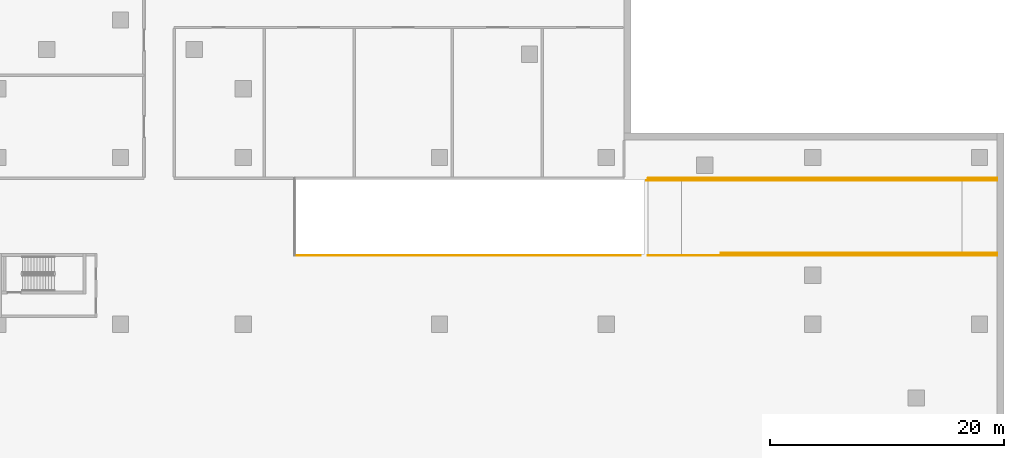
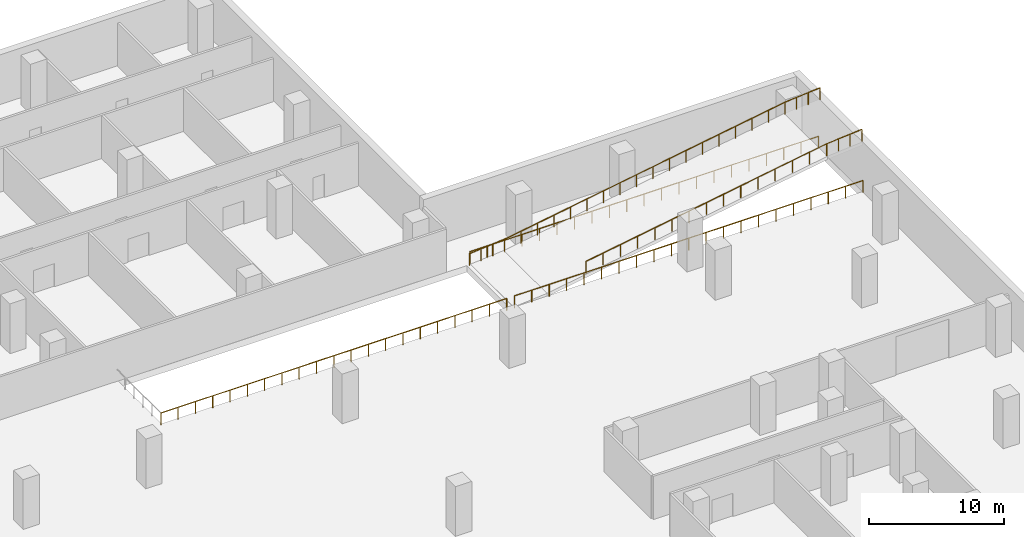
# One storey, part 12 of 12: 5 railings.
"""IFC4 building model written with IfcOpenShell, lengths in metres."""

import ifcopenshell
import ifcopenshell.guid

model = None  # the IFC model being written
_history = None  # IfcOwnerHistory: only IFC2X3 demands one
_inside = {}  # id of a spatial element -> (the spatial element, [elements in it])
_under = {}  # id of a project, library or spatial element -> (it, [spatial elements below it])
_declared = {}  # id of a project -> (the project, [libraries it declares])
_typed = {}  # id of a type object -> (the type object, [elements of that type])
_made_of = {}  # id of a material, layer set ... -> (it, [elements and type objects made of it])


def new_model(schema):
    """Start an empty IFC model of exactly this schema.

    Asked for "IFC4X3", IfcOpenShell would pick the latest addendum, in which some entities
    have other attributes; the version numbers below select the first issue.
    IFC2X3 requires an IfcOwnerHistory on every rooted entity: one is made here for all.
    """
    global model, _history
    if schema == "IFC4X3":
        model = ifcopenshell.file(schema_version=(4, 3, 0, 0))
    else:
        model = ifcopenshell.file(schema=schema)
    _inside.clear()
    _under.clear()
    _declared.clear()
    _typed.clear()
    _made_of.clear()
    _history = None
    if model.schema == "IFC2X3":
        org = make("IfcOrganization", Name="unknown")
        user = make(
            "IfcPersonAndOrganization",
            ThePerson=make("IfcPerson", FamilyName="unknown"),
            TheOrganization=org,
        )
        app = make(
            "IfcApplication",
            ApplicationDeveloper=org,
            Version="unknown",
            ApplicationFullName="unknown",
            ApplicationIdentifier="unknown",
        )
        _history = make(
            "IfcOwnerHistory",
            OwningUser=user,
            OwningApplication=app,
            ChangeAction="ADDED",
            CreationDate=0,
        )
    return model


def make(cls, **values):
    """One entity of the class cls with the attributes given. An attribute that is None is left unset."""
    return model.create_entity(
        cls, **{name: value for name, value in values.items() if value is not None}
    )


def rooted(cls, **values):
    """An entity with a GlobalId (a new one), such as an element, a storey or a relation."""
    return make(cls, GlobalId=ifcopenshell.guid.new(), OwnerHistory=_history, **values)


def si_unit(unit_type, name, prefix=None):
    """IfcSIUnit, for example si_unit("LENGTHUNIT", "METRE", prefix="MILLI")."""
    return make("IfcSIUnit", UnitType=unit_type, Prefix=prefix, Name=name)


def assignment(units):
    """IfcUnitAssignment: the units of a project."""
    return None if units is None else make("IfcUnitAssignment", Units=units)


def point(xyz):
    """IfcCartesianPoint."""
    return None if xyz is None else make("IfcCartesianPoint", Coordinates=xyz)


def direction(xyz):
    """IfcDirection."""
    return None if xyz is None else make("IfcDirection", DirectionRatios=xyz)


def frame(location, z_axis=None, x_axis=None):
    """IfcAxis2Placement3D, a coordinate frame: its origin and axes. An axis left out is left unset."""
    return make(
        "IfcAxis2Placement3D",
        Location=point(location),
        Axis=direction(z_axis),
        RefDirection=direction(x_axis),
    )


def frame_2d(location, x_axis=None):
    """IfcAxis2Placement2D, a coordinate frame in the plane: its origin and x axis."""
    return make(
        "IfcAxis2Placement2D", Location=point(location), RefDirection=direction(x_axis)
    )


def origin():
    """The frame at (0, 0, 0) with its axes left unset."""
    return frame((0.0, 0.0, 0.0))


def origin_2d():
    """The frame at (0, 0) in the plane with its x axis left unset."""
    return frame_2d((0.0, 0.0))


def place(relative_to, where):
    """IfcLocalPlacement: puts the frame where relative to a parent placement (None: the world)."""
    return make(
        "IfcLocalPlacement", PlacementRelTo=relative_to, RelativePlacement=where
    )


def context(
    kind, dimensions, precision=None, world=None, true_north=None, identifier=None
):
    """IfcGeometricRepresentationContext, for example the 3D "Model" context."""
    return make(
        "IfcGeometricRepresentationContext",
        ContextIdentifier=identifier,
        ContextType=kind,
        CoordinateSpaceDimension=dimensions,
        Precision=precision,
        WorldCoordinateSystem=world,
        TrueNorth=true_north,
    )


def subcontext(parent, identifier, kind, view, scale=None):
    """IfcGeometricRepresentationSubContext, for example "Body" below "Model"."""
    return make(
        "IfcGeometricRepresentationSubContext",
        ContextIdentifier=identifier,
        ContextType=kind,
        ParentContext=parent,
        TargetScale=scale,
        TargetView=view,
    )


def project(units=None, contexts=None):
    """IfcProject with its units and contexts."""
    return rooted(
        "IfcProject",
        Name="project",
        RepresentationContexts=contexts,
        UnitsInContext=assignment(units),
    )


def spatial(cls, under=None, at=None, **own):
    """A site, building, storey or space (cls), placed at a placement, below another one or the project."""
    s = rooted(cls, ObjectPlacement=at, **own)
    if under is not None:
        _under.setdefault(under.id(), (under, []))[1].append(s)
    return s


def profile(cls, at=None, kind="AREA", **sizes):
    """A parametric profile (cls). Its sizes go by their IFC names, for example OverallWidth=200.0."""
    return make(cls, ProfileType=kind, Position=at, **sizes)


def circle(**sizes):
    """IfcCircleProfileDef."""
    return profile("IfcCircleProfileDef", **sizes)


def extrude(swept, where, along, depth):
    """IfcExtrudedAreaSolid: the profile swept, set in the frame where, extruded along a direction by depth."""
    return make(
        "IfcExtrudedAreaSolid",
        SweptArea=swept,
        Position=where,
        ExtrudedDirection=direction(along),
        Depth=depth,
    )


def shape(context_of_items, identifier, shape_type, items):
    """IfcShapeRepresentation: the items that make up one representation, for example the "Body"."""
    return make(
        "IfcShapeRepresentation",
        ContextOfItems=context_of_items,
        RepresentationIdentifier=identifier,
        RepresentationType=shape_type,
        Items=items,
    )


def source(mapping_origin, context_of_items, identifier, shape_type, items):
    """IfcRepresentationMap: a shape defined once, which mapped items show again and again."""
    return make(
        "IfcRepresentationMap",
        MappingOrigin=mapping_origin,
        MappedRepresentation=shape(context_of_items, identifier, shape_type, items),
    )


def transform(
    local_origin,
    x_axis=None,
    y_axis=None,
    z_axis=None,
    scale=None,
    scale2=None,
    scale3=None,
    uniform=True,
):
    """IfcCartesianTransformationOperator3D, or its non-uniform kind. x_axis, y_axis, z_axis: its Axis1, 2, 3."""
    if uniform:
        return make(
            "IfcCartesianTransformationOperator3D",
            Axis1=direction(x_axis),
            Axis2=direction(y_axis),
            LocalOrigin=point(local_origin),
            Scale=scale,
            Axis3=direction(z_axis),
        )
    return make(
        "IfcCartesianTransformationOperator3DnonUniform",
        Axis1=direction(x_axis),
        Axis2=direction(y_axis),
        LocalOrigin=point(local_origin),
        Scale=scale,
        Axis3=direction(z_axis),
        Scale2=scale2,
        Scale3=scale3,
    )


def mapped(mapping_source, mapping_target):
    """IfcMappedItem: shows the shape of a source again, moved by a transform."""
    return make(
        "IfcMappedItem", MappingSource=mapping_source, MappingTarget=mapping_target
    )


def material(Name=None, Category=None):
    """IfcMaterial."""
    return make("IfcMaterial", Name=Name, Category=Category)


def made_of(thing, what):
    """Note that an element or type object is made of a material, layer set ...; save() writes the relation."""
    if what is not None:
        _made_of.setdefault(what.id(), (what, []))[1].append(thing)
    return thing


def type_object(cls, material=None, **own):
    """A type object (cls), such as IfcWallType, which elements share."""
    return made_of(rooted(cls, **own), material)


def element(
    cls,
    number,
    at=None,
    inside=None,
    cuts=None,
    type_object=None,
    material=None,
    context=None,
    identifier="Body",
    shape_type=None,
    held_by="IfcProductDefinitionShape",
    body=None,
    shapes=None,
    **own,
):
    """One element of the class cls, such as IfcWall. Its Tag is "e" and its number.

    at: its placement. inside: the storey or other place that contains it. cuts: it is an
    opening in that element (IfcRelVoidsElement). A single representation is given by context,
    identifier, shape_type and body (its items); several are given by shapes. held_by: the class
    of the entity that holds the representations. save() writes the other relations.
    """
    e = rooted(cls, Tag="e%d" % number, ObjectPlacement=at, **own)
    if body is not None:
        shapes = [shape(context, identifier, shape_type, body)]
    if shapes is not None:
        e.Representation = make(held_by, Representations=shapes)
    if inside is not None:
        _inside.setdefault(inside.id(), (inside, []))[1].append(e)
    if cuts is not None:
        rooted(
            "IfcRelVoidsElement", RelatingBuildingElement=cuts, RelatedOpeningElement=e
        )
    if type_object is not None:
        _typed.setdefault(type_object.id(), (type_object, []))[1].append(e)
    return made_of(e, material)


def aggregate(whole, parts):
    """IfcRelAggregates: a whole, such as a stair, and the parts it consists of."""
    return rooted("IfcRelAggregates", RelatingObject=whole, RelatedObjects=parts)


def save(model, path):
    """Write the relations noted so far, then the file.

    IfcRelAggregates (storeys below a building ...), IfcRelContainedInSpatialStructure (elements
    in a storey), IfcRelDefinesByType, IfcRelAssociatesMaterial and IfcRelDeclares: one each for
    every whole, place, type object, material and project.
    """
    for whole, parts in _under.values():
        aggregate(whole, parts)
    for where, things in _inside.values():
        rooted(
            "IfcRelContainedInSpatialStructure",
            RelatedElements=things,
            RelatingStructure=where,
        )
    for kind, things in _typed.values():
        rooted("IfcRelDefinesByType", RelatedObjects=things, RelatingType=kind)
    for what, things in _made_of.values():
        rooted("IfcRelAssociatesMaterial", RelatedObjects=things, RelatingMaterial=what)
    for by, libraries in _declared.values():
        rooted("IfcRelDeclares", RelatingContext=by, RelatedDefinitions=libraries)
    model.write(path)


model = new_model("IFC4")

# Units and contexts
model_context = context("Model", 3, precision=1e-05, world=origin(), true_north=direction((0.0, 1.0)))
body_context = subcontext(model_context, "Body", "Model", "MODEL_VIEW")
ifc_project = project(units=[si_unit("LENGTHUNIT", "METRE"), si_unit("AREAUNIT", "SQUARE_METRE"), si_unit("VOLUMEUNIT", "CUBIC_METRE"), si_unit("PLANEANGLEUNIT", "RADIAN"), si_unit("MASSUNIT", "GRAM", prefix="KILO")], contexts=[model_context])

# Site, building, storey
site_placement = place(None, origin())
site = spatial("IfcSite", under=ifc_project, at=site_placement, CompositionType="ELEMENT")
building_placement = place(site_placement, origin())
building = spatial("IfcBuilding", under=site, at=building_placement, Name="Aurelian Terraces", CompositionType="ELEMENT")
storey_placement = place(building_placement, frame((0.0, 0.0, -4.5)))
storey = spatial("IfcBuildingStorey", under=building, at=storey_placement, Name="B1", CompositionType="ELEMENT", Elevation=-4.5)

# Railings
ifc_material = material(Name="Stainless steel", Category="steel")
railing_type_1 = type_object("IfcRailingType", Name="Deck edge guard 1100", PredefinedType="GUARDRAIL", material=ifc_material)
railing_1_placement = place(storey_placement, frame((25.4, 43.7, 0.0)))
element("IfcRailing", 1, at=railing_1_placement, inside=storey, type_object=railing_type_1, Name="Deck edge guard ramp opening south", PredefinedType="GUARDRAIL", context=body_context, shape_type="SweptSolid", body=[
    extrude(circle(Radius=0.024, at=origin_2d()), frame((0.0, 0.0, 1.076), z_axis=(1.0, 0.0, 0.0), x_axis=(0.0, 1.0, 0.0)), (0.0, 0.0, 1.0), 29.6),
    extrude(circle(Radius=0.021, at=origin_2d()), origin(), (0.0, 0.0, 1.0), 1.052),
    extrude(circle(Radius=0.021, at=origin_2d()), frame((1.48, 0.0, 0.0)), (0.0, 0.0, 1.0), 1.052),
    extrude(circle(Radius=0.021, at=origin_2d()), frame((2.96, 0.0, 0.0)), (0.0, 0.0, 1.0), 1.052),
    extrude(circle(Radius=0.021, at=origin_2d()), frame((4.44, 0.0, 0.0)), (0.0, 0.0, 1.0), 1.052),
    extrude(circle(Radius=0.021, at=origin_2d()), frame((5.92, 0.0, 0.0)), (0.0, 0.0, 1.0), 1.052),
    extrude(circle(Radius=0.021, at=origin_2d()), frame((7.4, 0.0, 0.0)), (0.0, 0.0, 1.0), 1.052),
    extrude(circle(Radius=0.021, at=origin_2d()), frame((8.88, 0.0, 0.0)), (0.0, 0.0, 1.0), 1.052),
    extrude(circle(Radius=0.021, at=origin_2d()), frame((10.36, 0.0, 0.0)), (0.0, 0.0, 1.0), 1.052),
    extrude(circle(Radius=0.021, at=origin_2d()), frame((11.84, 0.0, 0.0)), (0.0, 0.0, 1.0), 1.052),
    extrude(circle(Radius=0.021, at=origin_2d()), frame((13.32, 0.0, 0.0)), (0.0, 0.0, 1.0), 1.052),
    extrude(circle(Radius=0.021, at=origin_2d()), frame((14.8, 0.0, 0.0)), (0.0, 0.0, 1.0), 1.052),
    extrude(circle(Radius=0.021, at=origin_2d()), frame((16.28, 0.0, 0.0)), (0.0, 0.0, 1.0), 1.052),
    extrude(circle(Radius=0.021, at=origin_2d()), frame((17.76, 0.0, 0.0)), (0.0, 0.0, 1.0), 1.052),
    extrude(circle(Radius=0.021, at=origin_2d()), frame((19.24, 0.0, 0.0)), (0.0, 0.0, 1.0), 1.052),
    extrude(circle(Radius=0.021, at=origin_2d()), frame((20.72, 0.0, 0.0)), (0.0, 0.0, 1.0), 1.052),
    extrude(circle(Radius=0.021, at=origin_2d()), frame((22.2, 0.0, 0.0)), (0.0, 0.0, 1.0), 1.052),
    extrude(circle(Radius=0.021, at=origin_2d()), frame((23.68, 0.0, 0.0)), (0.0, 0.0, 1.0), 1.052),
    extrude(circle(Radius=0.021, at=origin_2d()), frame((25.16, 0.0, 0.0)), (0.0, 0.0, 1.0), 1.052),
    extrude(circle(Radius=0.021, at=origin_2d()), frame((26.64, 0.0, 0.0)), (0.0, 0.0, 1.0), 1.052),
    extrude(circle(Radius=0.021, at=origin_2d()), frame((28.12, 0.0, 0.0)), (0.0, 0.0, 1.0), 1.052),
    extrude(circle(Radius=0.021, at=origin_2d()), frame((29.6, 0.0, 0.0)), (0.0, 0.0, 1.0), 1.052),
])
railing_2_placement = place(storey_placement, frame((55.65, 43.7, 0.0)))
element("IfcRailing", 2, at=railing_2_placement, inside=storey, type_object=railing_type_1, Name="Deck edge guard upper ramp opening south", PredefinedType="GUARDRAIL", context=body_context, shape_type="SweptSolid", body=[
    extrude(circle(Radius=0.024, at=origin_2d()), frame((0.0, 0.0, 1.076), z_axis=(1.0, 0.0, 0.0), x_axis=(0.0, 1.0, 0.0)), (0.0, 0.0, 1.0), 29.85),
    extrude(circle(Radius=0.021, at=origin_2d()), origin(), (0.0, 0.0, 1.0), 1.052),
    extrude(circle(Radius=0.021, at=origin_2d()), frame((1.4925, 0.0, 0.0)), (0.0, 0.0, 1.0), 1.052),
    extrude(circle(Radius=0.021, at=origin_2d()), frame((2.985, 0.0, 0.0)), (0.0, 0.0, 1.0), 1.052),
    extrude(circle(Radius=0.021, at=origin_2d()), frame((4.4775, 0.0, 0.0)), (0.0, 0.0, 1.0), 1.052),
    extrude(circle(Radius=0.021, at=origin_2d()), frame((5.97, 0.0, 0.0)), (0.0, 0.0, 1.0), 1.052),
    extrude(circle(Radius=0.021, at=origin_2d()), frame((7.4625, 0.0, 0.0)), (0.0, 0.0, 1.0), 1.052),
    extrude(circle(Radius=0.021, at=origin_2d()), frame((8.955, 0.0, 0.0)), (0.0, 0.0, 1.0), 1.052),
    extrude(circle(Radius=0.021, at=origin_2d()), frame((10.4475, 0.0, 0.0)), (0.0, 0.0, 1.0), 1.052),
    extrude(circle(Radius=0.021, at=origin_2d()), frame((11.94, 0.0, 0.0)), (0.0, 0.0, 1.0), 1.052),
    extrude(circle(Radius=0.021, at=origin_2d()), frame((13.4325, 0.0, 0.0)), (0.0, 0.0, 1.0), 1.052),
    extrude(circle(Radius=0.021, at=origin_2d()), frame((14.925, 0.0, 0.0)), (0.0, 0.0, 1.0), 1.052),
    extrude(circle(Radius=0.021, at=origin_2d()), frame((16.4175, 0.0, 0.0)), (0.0, 0.0, 1.0), 1.052),
    extrude(circle(Radius=0.021, at=origin_2d()), frame((17.91, 0.0, 0.0)), (0.0, 0.0, 1.0), 1.052),
    extrude(circle(Radius=0.021, at=origin_2d()), frame((19.4025, 0.0, 0.0)), (0.0, 0.0, 1.0), 1.052),
    extrude(circle(Radius=0.021, at=origin_2d()), frame((20.895, 0.0, 0.0)), (0.0, 0.0, 1.0), 1.052),
    extrude(circle(Radius=0.021, at=origin_2d()), frame((22.3875, 0.0, 0.0)), (0.0, 0.0, 1.0), 1.052),
    extrude(circle(Radius=0.021, at=origin_2d()), frame((23.88, 0.0, 0.0)), (0.0, 0.0, 1.0), 1.052),
    extrude(circle(Radius=0.021, at=origin_2d()), frame((25.3725, 0.0, 0.0)), (0.0, 0.0, 1.0), 1.052),
    extrude(circle(Radius=0.021, at=origin_2d()), frame((26.865, 0.0, 0.0)), (0.0, 0.0, 1.0), 1.052),
    extrude(circle(Radius=0.021, at=origin_2d()), frame((28.3575, 0.0, 0.0)), (0.0, 0.0, 1.0), 1.052),
    extrude(circle(Radius=0.021, at=origin_2d()), frame((29.85, 0.0, 0.0)), (0.0, 0.0, 1.0), 1.052),
])
railing_type_2 = type_object("IfcRailingType", Name="Ramp guard 1100", PredefinedType="GUARDRAIL", material=ifc_material)
railing_3_placement = place(storey_placement, frame((61.9, 43.9, 0.8167)))
element("IfcRailing", 3, at=railing_3_placement, inside=storey, type_object=railing_type_2, Name="Ramp guard R1 south", PredefinedType="GUARDRAIL", context=body_context, shape_type="SweptSolid", body=[
    extrude(circle(Radius=0.024, at=origin_2d()), frame((0.0, 0.0, 1.076), z_axis=(0.986394182659, 0.0, 0.164397434336), x_axis=(0.0, 1.0, 0.0)), (0.0, 0.0, 1.0), 20.8841),
    extrude(circle(Radius=0.024, at=origin_2d()), frame((20.6, 0.0, 4.5093), z_axis=(0.996545758245, 0.0, 0.083045479854), x_axis=(0.0, 1.0, 0.0)), (0.0, 0.0, 1.0), 3.0104),
    extrude(circle(Radius=0.021, at=origin_2d()), origin(), (0.0, 0.0, 1.0), 1.052),
    extrude(circle(Radius=0.021, at=origin_2d()), frame((1.4714, 0.0, 0.2452)), (0.0, 0.0, 1.0), 1.052),
    extrude(circle(Radius=0.021, at=origin_2d()), frame((2.9429, 0.0, 0.4905)), (0.0, 0.0, 1.0), 1.052),
    extrude(circle(Radius=0.021, at=origin_2d()), frame((4.4143, 0.0, 0.7357)), (0.0, 0.0, 1.0), 1.052),
    extrude(circle(Radius=0.021, at=origin_2d()), frame((5.8857, 0.0, 0.9809)), (0.0, 0.0, 1.0), 1.052),
    extrude(circle(Radius=0.021, at=origin_2d()), frame((7.3571, 0.0, 1.2262)), (0.0, 0.0, 1.0), 1.052),
    extrude(circle(Radius=0.021, at=origin_2d()), frame((8.8286, 0.0, 1.4714)), (0.0, 0.0, 1.0), 1.052),
    extrude(circle(Radius=0.021, at=origin_2d()), frame((10.3, 0.0, 1.7166)), (0.0, 0.0, 1.0), 1.052),
    extrude(circle(Radius=0.021, at=origin_2d()), frame((11.7714, 0.0, 1.9619)), (0.0, 0.0, 1.0), 1.052),
    extrude(circle(Radius=0.021, at=origin_2d()), frame((13.2429, 0.0, 2.2071)), (0.0, 0.0, 1.0), 1.052),
    extrude(circle(Radius=0.021, at=origin_2d()), frame((14.7143, 0.0, 2.4524)), (0.0, 0.0, 1.0), 1.052),
    extrude(circle(Radius=0.021, at=origin_2d()), frame((16.1857, 0.0, 2.6976)), (0.0, 0.0, 1.0), 1.052),
    extrude(circle(Radius=0.021, at=origin_2d()), frame((17.6571, 0.0, 2.9428)), (0.0, 0.0, 1.0), 1.052),
    extrude(circle(Radius=0.021, at=origin_2d()), frame((19.1286, 0.0, 3.1881)), (0.0, 0.0, 1.0), 1.052),
    extrude(circle(Radius=0.021, at=origin_2d()), frame((20.6, 0.0, 3.4333)), (0.0, 0.0, 1.0), 1.052),
    extrude(circle(Radius=0.021, at=origin_2d()), frame((21.6, 0.0, 3.5166)), (0.0, 0.0, 1.0), 1.052),
    extrude(circle(Radius=0.021, at=origin_2d()), frame((22.6, 0.0, 3.6)), (0.0, 0.0, 1.0), 1.052),
    extrude(circle(Radius=0.021, at=origin_2d()), frame((23.6, 0.0, 3.6833)), (0.0, 0.0, 1.0), 1.052),
])
shared_shape_1 = source(origin(), body_context, "Body", "SweptSolid", [
    extrude(circle(Radius=0.024, at=origin_2d()), frame((0.0, 0.0, 1.076), z_axis=(0.996545758245, 0.0, 0.083045479854), x_axis=(0.0, 1.0, 0.0)), (0.0, 0.0, 1.0), 3.0104),
    extrude(circle(Radius=0.024, at=origin_2d()), frame((3.0, 0.0, 1.326), z_axis=(0.986393923832, 0.0, 0.164398987305), x_axis=(0.0, 1.0, 0.0)), (0.0, 0.0, 1.0), 24.3311),
    extrude(circle(Radius=0.024, at=origin_2d()), frame((27.0, 0.0, 5.326), z_axis=(0.996545758245, 0.0, 0.083045479854), x_axis=(0.0, 1.0, 0.0)), (0.0, 0.0, 1.0), 3.0104),
    extrude(circle(Radius=0.021, at=origin_2d()), origin(), (0.0, 0.0, 1.0), 1.052),
    extrude(circle(Radius=0.021, at=origin_2d()), frame((1.0, 0.0, 0.0833)), (0.0, 0.0, 1.0), 1.052),
    extrude(circle(Radius=0.021, at=origin_2d()), frame((2.0, 0.0, 0.1667)), (0.0, 0.0, 1.0), 1.052),
    extrude(circle(Radius=0.021, at=origin_2d()), frame((3.0, 0.0, 0.25)), (0.0, 0.0, 1.0), 1.052),
    extrude(circle(Radius=0.021, at=origin_2d()), frame((4.4118, 0.0, 0.4853)), (0.0, 0.0, 1.0), 1.052),
    extrude(circle(Radius=0.021, at=origin_2d()), frame((5.8235, 0.0, 0.7206)), (0.0, 0.0, 1.0), 1.052),
    extrude(circle(Radius=0.021, at=origin_2d()), frame((7.2353, 0.0, 0.9559)), (0.0, 0.0, 1.0), 1.052),
    extrude(circle(Radius=0.021, at=origin_2d()), frame((8.6471, 0.0, 1.1912)), (0.0, 0.0, 1.0), 1.052),
    extrude(circle(Radius=0.021, at=origin_2d()), frame((10.0588, 0.0, 1.4265)), (0.0, 0.0, 1.0), 1.052),
    extrude(circle(Radius=0.021, at=origin_2d()), frame((11.4706, 0.0, 1.6618)), (0.0, 0.0, 1.0), 1.052),
    extrude(circle(Radius=0.021, at=origin_2d()), frame((12.8824, 0.0, 1.8971)), (0.0, 0.0, 1.0), 1.052),
    extrude(circle(Radius=0.021, at=origin_2d()), frame((14.2941, 0.0, 2.1324)), (0.0, 0.0, 1.0), 1.052),
    extrude(circle(Radius=0.021, at=origin_2d()), frame((15.7059, 0.0, 2.3676)), (0.0, 0.0, 1.0), 1.052),
    extrude(circle(Radius=0.021, at=origin_2d()), frame((17.1176, 0.0, 2.6029)), (0.0, 0.0, 1.0), 1.052),
    extrude(circle(Radius=0.021, at=origin_2d()), frame((18.5294, 0.0, 2.8382)), (0.0, 0.0, 1.0), 1.052),
    extrude(circle(Radius=0.021, at=origin_2d()), frame((19.9412, 0.0, 3.0735)), (0.0, 0.0, 1.0), 1.052),
    extrude(circle(Radius=0.021, at=origin_2d()), frame((21.3529, 0.0, 3.3088)), (0.0, 0.0, 1.0), 1.052),
    extrude(circle(Radius=0.021, at=origin_2d()), frame((22.7647, 0.0, 3.5441)), (0.0, 0.0, 1.0), 1.052),
    extrude(circle(Radius=0.021, at=origin_2d()), frame((24.1765, 0.0, 3.7794)), (0.0, 0.0, 1.0), 1.052),
    extrude(circle(Radius=0.021, at=origin_2d()), frame((25.5882, 0.0, 4.0147)), (0.0, 0.0, 1.0), 1.052),
    extrude(circle(Radius=0.021, at=origin_2d()), frame((27.0, 0.0, 4.25)), (0.0, 0.0, 1.0), 1.052),
    extrude(circle(Radius=0.021, at=origin_2d()), frame((28.0, 0.0, 4.3333)), (0.0, 0.0, 1.0), 1.052),
    extrude(circle(Radius=0.021, at=origin_2d()), frame((29.0, 0.0, 4.4167)), (0.0, 0.0, 1.0), 1.052),
    extrude(circle(Radius=0.021, at=origin_2d()), frame((30.0, 0.0, 4.5)), (0.0, 0.0, 1.0), 1.052),
])
railing_4_placement = place(storey_placement, frame((55.5, 50.1, 0.0)))
element("IfcRailing", 4, at=railing_4_placement, inside=storey, type_object=railing_type_2, Name="Ramp guard R1 north", PredefinedType="GUARDRAIL", context=body_context, shape_type="MappedRepresentation", body=[
    mapped(shared_shape_1, transform((0.0, 0.0, 0.0), scale=1.0)),
])
shared_shape_2 = source(origin(), body_context, "Body", "SweptSolid", [
    extrude(circle(Radius=0.024, at=origin_2d()), frame((0.0, 0.0, 1.076), z_axis=(1.0, 0.0, 0.0), x_axis=(0.0, 1.0, 0.0)), (0.0, 0.0, 1.0), 29.85),
    extrude(circle(Radius=0.021, at=origin_2d()), origin(), (0.0, 0.0, 1.0), 1.052),
    extrude(circle(Radius=0.021, at=origin_2d()), frame((1.4925, 0.0, 0.0)), (0.0, 0.0, 1.0), 1.052),
    extrude(circle(Radius=0.021, at=origin_2d()), frame((2.985, 0.0, 0.0)), (0.0, 0.0, 1.0), 1.052),
    extrude(circle(Radius=0.021, at=origin_2d()), frame((4.4775, 0.0, 0.0)), (0.0, 0.0, 1.0), 1.052),
    extrude(circle(Radius=0.021, at=origin_2d()), frame((5.97, 0.0, 0.0)), (0.0, 0.0, 1.0), 1.052),
    extrude(circle(Radius=0.021, at=origin_2d()), frame((7.4625, 0.0, 0.0)), (0.0, 0.0, 1.0), 1.052),
    extrude(circle(Radius=0.021, at=origin_2d()), frame((8.955, 0.0, 0.0)), (0.0, 0.0, 1.0), 1.052),
    extrude(circle(Radius=0.021, at=origin_2d()), frame((10.4475, 0.0, 0.0)), (0.0, 0.0, 1.0), 1.052),
    extrude(circle(Radius=0.021, at=origin_2d()), frame((11.94, 0.0, 0.0)), (0.0, 0.0, 1.0), 1.052),
    extrude(circle(Radius=0.021, at=origin_2d()), frame((13.4325, 0.0, 0.0)), (0.0, 0.0, 1.0), 1.052),
    extrude(circle(Radius=0.021, at=origin_2d()), frame((14.925, 0.0, 0.0)), (0.0, 0.0, 1.0), 1.052),
    extrude(circle(Radius=0.021, at=origin_2d()), frame((16.4175, 0.0, 0.0)), (0.0, 0.0, 1.0), 1.052),
    extrude(circle(Radius=0.021, at=origin_2d()), frame((17.91, 0.0, 0.0)), (0.0, 0.0, 1.0), 1.052),
    extrude(circle(Radius=0.021, at=origin_2d()), frame((19.4025, 0.0, 0.0)), (0.0, 0.0, 1.0), 1.052),
    extrude(circle(Radius=0.021, at=origin_2d()), frame((20.895, 0.0, 0.0)), (0.0, 0.0, 1.0), 1.052),
    extrude(circle(Radius=0.021, at=origin_2d()), frame((22.3875, 0.0, 0.0)), (0.0, 0.0, 1.0), 1.052),
    extrude(circle(Radius=0.021, at=origin_2d()), frame((23.88, 0.0, 0.0)), (0.0, 0.0, 1.0), 1.052),
    extrude(circle(Radius=0.021, at=origin_2d()), frame((25.3725, 0.0, 0.0)), (0.0, 0.0, 1.0), 1.052),
    extrude(circle(Radius=0.021, at=origin_2d()), frame((26.865, 0.0, 0.0)), (0.0, 0.0, 1.0), 1.052),
    extrude(circle(Radius=0.021, at=origin_2d()), frame((28.3575, 0.0, 0.0)), (0.0, 0.0, 1.0), 1.052),
    extrude(circle(Radius=0.021, at=origin_2d()), frame((29.85, 0.0, 0.0)), (0.0, 0.0, 1.0), 1.052),
])
railing_5_placement = place(storey_placement, frame((55.65, 50.3, 0.0)))
element("IfcRailing", 5, at=railing_5_placement, inside=storey, type_object=railing_type_1, Name="Deck edge guard upper ramp opening north", PredefinedType="GUARDRAIL", context=body_context, shape_type="MappedRepresentation", body=[
    mapped(shared_shape_2, transform((0.0, 0.0, 0.0), scale=1.0)),
])

save(model, "model.ifc")
